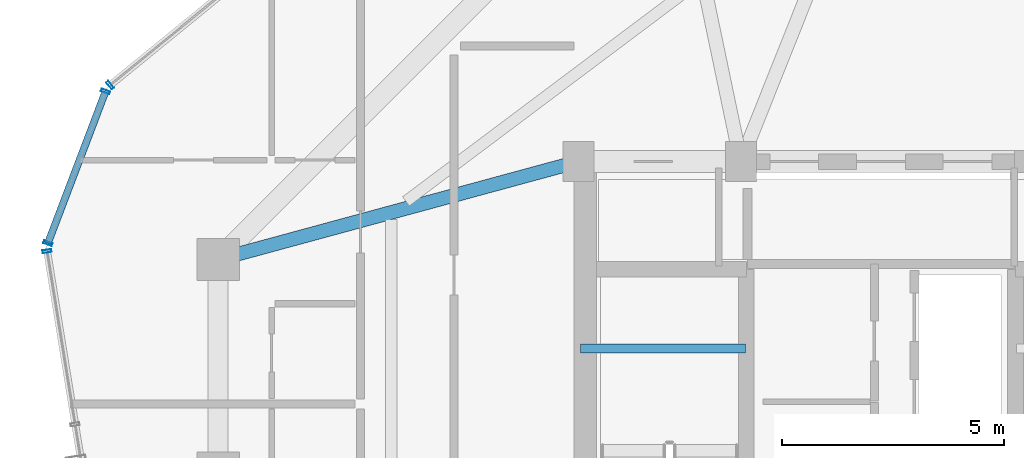
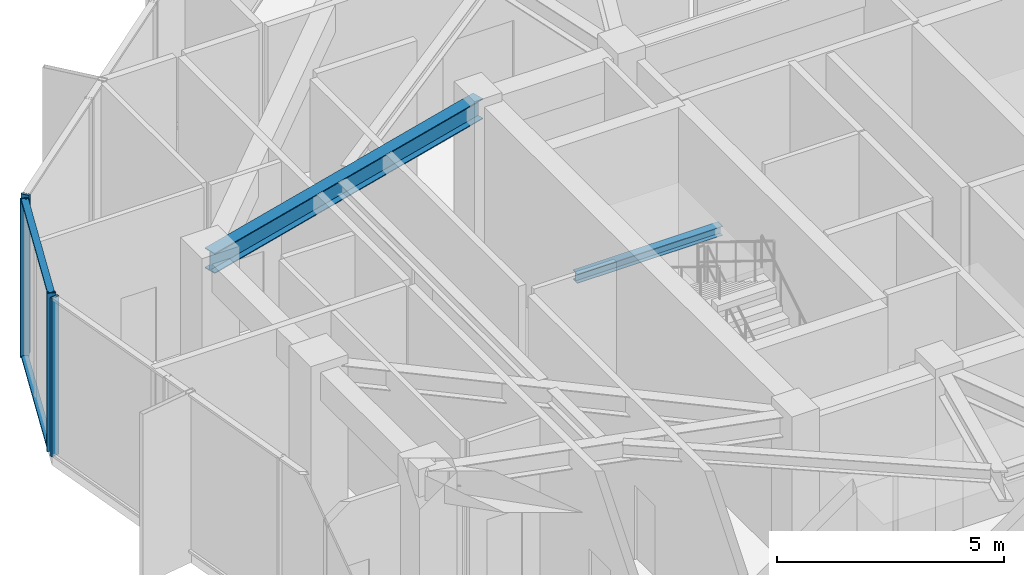
# One storey, part 9 of 22: 6 members, 2 beams, 3 elements without a shape of their own.
"""IFC4 building model written with IfcOpenShell, lengths in metres."""

import ifcopenshell
import ifcopenshell.guid

model = None  # the IFC model being written
_history = None  # IfcOwnerHistory: only IFC2X3 demands one
_inside = {}  # id of a spatial element -> (the spatial element, [elements in it])
_under = {}  # id of a project, library or spatial element -> (it, [spatial elements below it])
_declared = {}  # id of a project -> (the project, [libraries it declares])
_typed = {}  # id of a type object -> (the type object, [elements of that type])
_made_of = {}  # id of a material, layer set ... -> (it, [elements and type objects made of it])


def new_model(schema):
    """Start an empty IFC model of exactly this schema.

    Asked for "IFC4X3", IfcOpenShell would pick the latest addendum, in which some entities
    have other attributes; the version numbers below select the first issue.
    IFC2X3 requires an IfcOwnerHistory on every rooted entity: one is made here for all.
    """
    global model, _history
    if schema == "IFC4X3":
        model = ifcopenshell.file(schema_version=(4, 3, 0, 0))
    else:
        model = ifcopenshell.file(schema=schema)
    _inside.clear()
    _under.clear()
    _declared.clear()
    _typed.clear()
    _made_of.clear()
    _history = None
    if model.schema == "IFC2X3":
        org = make("IfcOrganization", Name="unknown")
        user = make(
            "IfcPersonAndOrganization",
            ThePerson=make("IfcPerson", FamilyName="unknown"),
            TheOrganization=org,
        )
        app = make(
            "IfcApplication",
            ApplicationDeveloper=org,
            Version="unknown",
            ApplicationFullName="unknown",
            ApplicationIdentifier="unknown",
        )
        _history = make(
            "IfcOwnerHistory",
            OwningUser=user,
            OwningApplication=app,
            ChangeAction="ADDED",
            CreationDate=0,
        )
    return model


def make(cls, **values):
    """One entity of the class cls with the attributes given. An attribute that is None is left unset."""
    return model.create_entity(
        cls, **{name: value for name, value in values.items() if value is not None}
    )


def rooted(cls, **values):
    """An entity with a GlobalId (a new one), such as an element, a storey or a relation."""
    return make(cls, GlobalId=ifcopenshell.guid.new(), OwnerHistory=_history, **values)


def si_unit(unit_type, name, prefix=None):
    """IfcSIUnit, for example si_unit("LENGTHUNIT", "METRE", prefix="MILLI")."""
    return make("IfcSIUnit", UnitType=unit_type, Prefix=prefix, Name=name)


def assignment(units):
    """IfcUnitAssignment: the units of a project."""
    return None if units is None else make("IfcUnitAssignment", Units=units)


def point(xyz):
    """IfcCartesianPoint."""
    return None if xyz is None else make("IfcCartesianPoint", Coordinates=xyz)


def direction(xyz):
    """IfcDirection."""
    return None if xyz is None else make("IfcDirection", DirectionRatios=xyz)


def frame(location, z_axis=None, x_axis=None):
    """IfcAxis2Placement3D, a coordinate frame: its origin and axes. An axis left out is left unset."""
    return make(
        "IfcAxis2Placement3D",
        Location=point(location),
        Axis=direction(z_axis),
        RefDirection=direction(x_axis),
    )


def frame_2d(location, x_axis=None):
    """IfcAxis2Placement2D, a coordinate frame in the plane: its origin and x axis."""
    return make(
        "IfcAxis2Placement2D", Location=point(location), RefDirection=direction(x_axis)
    )


def origin():
    """The frame at (0, 0, 0) with its axes left unset."""
    return frame((0.0, 0.0, 0.0))


def origin_2d():
    """The frame at (0, 0) in the plane with its x axis left unset."""
    return frame_2d((0.0, 0.0))


def place(relative_to, where):
    """IfcLocalPlacement: puts the frame where relative to a parent placement (None: the world)."""
    return make(
        "IfcLocalPlacement", PlacementRelTo=relative_to, RelativePlacement=where
    )


def context(
    kind, dimensions, precision=None, world=None, true_north=None, identifier=None
):
    """IfcGeometricRepresentationContext, for example the 3D "Model" context."""
    return make(
        "IfcGeometricRepresentationContext",
        ContextIdentifier=identifier,
        ContextType=kind,
        CoordinateSpaceDimension=dimensions,
        Precision=precision,
        WorldCoordinateSystem=world,
        TrueNorth=true_north,
    )


def subcontext(parent, identifier, kind, view, scale=None):
    """IfcGeometricRepresentationSubContext, for example "Body" below "Model"."""
    return make(
        "IfcGeometricRepresentationSubContext",
        ContextIdentifier=identifier,
        ContextType=kind,
        ParentContext=parent,
        TargetScale=scale,
        TargetView=view,
    )


def project(units=None, contexts=None):
    """IfcProject with its units and contexts."""
    return rooted(
        "IfcProject",
        Name="project",
        RepresentationContexts=contexts,
        UnitsInContext=assignment(units),
    )


def spatial(cls, under=None, at=None, **own):
    """A site, building, storey or space (cls), placed at a placement, below another one or the project."""
    s = rooted(cls, ObjectPlacement=at, **own)
    if under is not None:
        _under.setdefault(under.id(), (under, []))[1].append(s)
    return s


def profile(cls, at=None, kind="AREA", **sizes):
    """A parametric profile (cls). Its sizes go by their IFC names, for example OverallWidth=200.0."""
    return make(cls, ProfileType=kind, Position=at, **sizes)


def hollow_rectangle(**sizes):
    """IfcRectangleHollowProfileDef."""
    return profile("IfcRectangleHollowProfileDef", **sizes)


def i_section(**sizes):
    """IfcIShapeProfileDef."""
    return profile("IfcIShapeProfileDef", **sizes)


def extrude(swept, where, along, depth):
    """IfcExtrudedAreaSolid: the profile swept, set in the frame where, extruded along a direction by depth."""
    return make(
        "IfcExtrudedAreaSolid",
        SweptArea=swept,
        Position=where,
        ExtrudedDirection=direction(along),
        Depth=depth,
    )


def shape(context_of_items, identifier, shape_type, items):
    """IfcShapeRepresentation: the items that make up one representation, for example the "Body"."""
    return make(
        "IfcShapeRepresentation",
        ContextOfItems=context_of_items,
        RepresentationIdentifier=identifier,
        RepresentationType=shape_type,
        Items=items,
    )


def source(mapping_origin, context_of_items, identifier, shape_type, items):
    """IfcRepresentationMap: a shape defined once, which mapped items show again and again."""
    return make(
        "IfcRepresentationMap",
        MappingOrigin=mapping_origin,
        MappedRepresentation=shape(context_of_items, identifier, shape_type, items),
    )


def transform(
    local_origin,
    x_axis=None,
    y_axis=None,
    z_axis=None,
    scale=None,
    scale2=None,
    scale3=None,
    uniform=True,
):
    """IfcCartesianTransformationOperator3D, or its non-uniform kind. x_axis, y_axis, z_axis: its Axis1, 2, 3."""
    if uniform:
        return make(
            "IfcCartesianTransformationOperator3D",
            Axis1=direction(x_axis),
            Axis2=direction(y_axis),
            LocalOrigin=point(local_origin),
            Scale=scale,
            Axis3=direction(z_axis),
        )
    return make(
        "IfcCartesianTransformationOperator3DnonUniform",
        Axis1=direction(x_axis),
        Axis2=direction(y_axis),
        LocalOrigin=point(local_origin),
        Scale=scale,
        Axis3=direction(z_axis),
        Scale2=scale2,
        Scale3=scale3,
    )


def mapped(mapping_source, mapping_target):
    """IfcMappedItem: shows the shape of a source again, moved by a transform."""
    return make(
        "IfcMappedItem", MappingSource=mapping_source, MappingTarget=mapping_target
    )


def material(Name=None, Category=None):
    """IfcMaterial."""
    return make("IfcMaterial", Name=Name, Category=Category)


def layer(
    of_material, thickness, ventilated=None, Name=None, Category=None, Priority=None
):
    """IfcMaterialLayer: one layer of a wall or slab, of a material (None: an air gap)."""
    return make(
        "IfcMaterialLayer",
        Material=of_material,
        LayerThickness=thickness,
        IsVentilated=ventilated,
        Name=Name,
        Category=Category,
        Priority=Priority,
    )


def layer_set(layers, Name=None):
    """IfcMaterialLayerSet."""
    return make("IfcMaterialLayerSet", MaterialLayers=layers, LayerSetName=Name)


def material_profile(
    of_material, cross_section, Name=None, Category=None, Priority=None
):
    """IfcMaterialProfile: a cross section and its material."""
    return make(
        "IfcMaterialProfile",
        Name=Name,
        Material=of_material,
        Profile=cross_section,
        Priority=Priority,
        Category=Category,
    )


def profile_set(profiles, Name=None, composite=None):
    """IfcMaterialProfileSet."""
    return make(
        "IfcMaterialProfileSet",
        Name=Name,
        MaterialProfiles=profiles,
        CompositeProfile=composite,
    )


def made_of(thing, what):
    """Note that an element or type object is made of a material, layer set ...; save() writes the relation."""
    if what is not None:
        _made_of.setdefault(what.id(), (what, []))[1].append(thing)
    return thing


def type_object(cls, material=None, **own):
    """A type object (cls), such as IfcWallType, which elements share."""
    return made_of(rooted(cls, **own), material)


def element(
    cls,
    number,
    at=None,
    inside=None,
    cuts=None,
    type_object=None,
    material=None,
    context=None,
    identifier="Body",
    shape_type=None,
    held_by="IfcProductDefinitionShape",
    body=None,
    shapes=None,
    **own,
):
    """One element of the class cls, such as IfcWall. Its Tag is "e" and its number.

    at: its placement. inside: the storey or other place that contains it. cuts: it is an
    opening in that element (IfcRelVoidsElement). A single representation is given by context,
    identifier, shape_type and body (its items); several are given by shapes. held_by: the class
    of the entity that holds the representations. save() writes the other relations.
    """
    e = rooted(cls, Tag="e%d" % number, ObjectPlacement=at, **own)
    if body is not None:
        shapes = [shape(context, identifier, shape_type, body)]
    if shapes is not None:
        e.Representation = make(held_by, Representations=shapes)
    if inside is not None:
        _inside.setdefault(inside.id(), (inside, []))[1].append(e)
    if cuts is not None:
        rooted(
            "IfcRelVoidsElement", RelatingBuildingElement=cuts, RelatedOpeningElement=e
        )
    if type_object is not None:
        _typed.setdefault(type_object.id(), (type_object, []))[1].append(e)
    return made_of(e, material)


def aggregate(whole, parts):
    """IfcRelAggregates: a whole, such as a stair, and the parts it consists of."""
    return rooted("IfcRelAggregates", RelatingObject=whole, RelatedObjects=parts)


def save(model, path):
    """Write the relations noted so far, then the file.

    IfcRelAggregates (storeys below a building ...), IfcRelContainedInSpatialStructure (elements
    in a storey), IfcRelDefinesByType, IfcRelAssociatesMaterial and IfcRelDeclares: one each for
    every whole, place, type object, material and project.
    """
    for whole, parts in _under.values():
        aggregate(whole, parts)
    for where, things in _inside.values():
        rooted(
            "IfcRelContainedInSpatialStructure",
            RelatedElements=things,
            RelatingStructure=where,
        )
    for kind, things in _typed.values():
        rooted("IfcRelDefinesByType", RelatedObjects=things, RelatingType=kind)
    for what, things in _made_of.values():
        rooted("IfcRelAssociatesMaterial", RelatedObjects=things, RelatingMaterial=what)
    for by, libraries in _declared.values():
        rooted("IfcRelDeclares", RelatingContext=by, RelatedDefinitions=libraries)
    model.write(path)


model = new_model("IFC4")

# Units and contexts
model_context = context("Model", 3, precision=1e-05, world=origin(), true_north=direction((0.0, 1.0)))
body_context = subcontext(model_context, "Body", "Model", "MODEL_VIEW")
ifc_project = project(units=[si_unit("LENGTHUNIT", "METRE"), si_unit("AREAUNIT", "SQUARE_METRE"), si_unit("VOLUMEUNIT", "CUBIC_METRE"), si_unit("PLANEANGLEUNIT", "RADIAN"), si_unit("MASSUNIT", "GRAM", prefix="KILO")], contexts=[model_context])

# Site, building, storey
site_placement = place(None, origin())
site = spatial("IfcSite", under=ifc_project, at=site_placement, CompositionType="ELEMENT")
building_placement = place(site_placement, origin())
building = spatial("IfcBuilding", under=site, at=building_placement, Name="Veraguas Prism Commons", CompositionType="ELEMENT")
storey_placement = place(building_placement, frame((0.0, 0.0, 174.35009765625)))
storey = spatial("IfcBuildingStorey", under=building, at=storey_placement, Name="L49", CompositionType="ELEMENT", Elevation=174.35009765625)

# Beams
ifc_material_1 = material(Name="Steel ASTM A992 Grade 50", Category="steel")
ifc_material_profile_1 = material_profile(ifc_material_1, i_section(OverallWidth=0.202880859375, OverallDepth=0.251953125, WebThickness=0.008056640625, FlangeThickness=0.013427734375, at=origin_2d()), Name="W250X58")
ifc_profile_set_1 = profile_set([ifc_material_profile_1], Name="Steel ASTM A992 Grade 50")
beam_type_1 = type_object("IfcBeamType", Name="Structural Opening Lintel W250x58", PredefinedType="LINTEL", material=ifc_profile_set_1)
beam_1_placement = place(storey_placement, frame((17.25, 26.800048828125, 1.923828125), z_axis=(1.0, 0.0, 0.0), x_axis=(0.0, 1.0, 0.0)))
element("IfcBeam", 1, at=beam_1_placement, inside=storey, type_object=beam_type_1, Name="Stair ST-01 Half-Landing Support Beam L49-1", PredefinedType="LINTEL", context=body_context, shape_type="SweptSolid", body=[
    extrude(i_section(OverallWidth=0.202880859375, OverallDepth=0.251953125, WebThickness=0.008056640625, FlangeThickness=0.013427734375, at=origin_2d()), origin(), (0.0, 0.0, 1.0), 3.699951171875),
])
ifc_material_profile_2 = material_profile(ifc_material_1, i_section(OverallWidth=0.31103515625, OverallDepth=0.5458984375, WebThickness=0.0146484375, FlangeThickness=0.023681640625, at=origin_2d()), Name="W530X165")
ifc_profile_set_2 = profile_set([ifc_material_profile_2], Name="Steel ASTM A992 Grade 50")
beam_type_2 = type_object("IfcBeamType", Name="Zone 3 Radial Girder W530x165", PredefinedType="BEAM", material=ifc_profile_set_2)
beam_2_placement = place(storey_placement, frame((9.10009765625, 28.800048828125, 3.991943359375), z_axis=(0.965038506703, 0.262108146725, 0.0), x_axis=(-0.262108146725, 0.965038506703, 0.0)))
element("IfcBeam", 2, at=beam_2_placement, inside=storey, type_object=beam_type_2, Name="Radial Floor Girder L49-RD07", PredefinedType="BEAM", context=body_context, shape_type="SweptSolid", body=[
    extrude(i_section(OverallWidth=0.31103515625, OverallDepth=0.5458984375, WebThickness=0.0146484375, FlangeThickness=0.023681640625, at=origin_2d()), origin(), (0.0, 0.0, 1.0), 8.393310546875),
])

# Curtain wall, member
ifc_material_2 = material(Name="Anodised aluminium EN AW-6063 T6", Category="aluminium")
ifc_layer = layer(ifc_material_2, 0.199951171875, Name="Sky Lobby and Pool Acoustic Curtain Wall", Category="aluminium")
ifc_layer_set = layer_set([ifc_layer], Name="Anodised aluminium EN AW-6063 T6")
curtain_wall_type = type_object("IfcCurtainWallType", Name="Sky Lobby and Pool Acoustic Curtain Wall", PredefinedType="NOTDEFINED", material=ifc_layer_set)
curtain_wall_1_placement = place(storey_placement, origin())
curtain_wall_1 = element("IfcCurtainWall", 3, at=curtain_wall_1_placement, inside=storey, type_object=curtain_wall_type, Name="Tower Facade Curtain Wall L49-F2", PredefinedType="NOTDEFINED")
ifc_material_profile_3 = material_profile(ifc_material_2, hollow_rectangle(XDim=0.06494140625, YDim=0.199951171875, WallThickness=0.00390625, at=origin_2d()), Name="AL65X200X4")
ifc_profile_set_3 = profile_set([ifc_material_profile_3], Name="Anodised aluminium EN AW-6063 T6")
member_type_1 = type_object("IfcMemberType", Name="Curtain Wall Mullion Heavy AL 65x200x4", PredefinedType="MULLION", material=ifc_profile_set_3)
shared_shape_1 = source(origin(), body_context, "Body", "SweptSolid", [
    extrude(hollow_rectangle(XDim=0.06494140625, YDim=0.199951171875, WallThickness=0.00390625, at=origin_2d()), origin(), (0.0, 0.0, 1.0), 4.264892578125),
])
member_1_placement = place(storey_placement, frame((6.670166015625, 32.719482421875, 0.0), z_axis=(0.0, 0.0, 1.0), x_axis=(-0.774941179396, -0.632033360256, 0.0)))
member_1 = element("IfcMember", 4, at=member_1_placement, type_object=member_type_1, Name="CW-SKY Mullion 5", PredefinedType="MULLION", context=body_context, shape_type="MappedRepresentation", body=[
    mapped(shared_shape_1, transform((0.0, 0.0, 0.0), scale=1.0)),
])
aggregate(curtain_wall_1, [member_1])

curtain_wall_2_placement = place(storey_placement, origin())
curtain_wall_2 = element("IfcCurtainWall", 5, at=curtain_wall_2_placement, inside=storey, type_object=curtain_wall_type, Name="Tower Facade Curtain Wall L49-F3", PredefinedType="NOTDEFINED")
member_2_placement = place(storey_placement, frame((5.251708984375, 28.9853515625, 0.0), z_axis=(0.0, 0.0, 1.0), x_axis=(0.159874296177, -0.98713738123, 0.0)))
member_2 = element("IfcMember", 6, at=member_2_placement, type_object=member_type_1, Name="CW-SKY Mullion 1", PredefinedType="MULLION", context=body_context, shape_type="MappedRepresentation", body=[
    mapped(shared_shape_1, transform((0.0, 0.0, 0.0), scale=1.0)),
])
aggregate(curtain_wall_2, [member_2])

# Curtain wall, members
curtain_wall_3_placement = place(storey_placement, origin())
curtain_wall_3 = element("IfcCurtainWall", 7, at=curtain_wall_3_placement, inside=storey, type_object=curtain_wall_type, Name="Chamfer Curtain Wall L49-C3", PredefinedType="NOTDEFINED")
member_3_placement = place(storey_placement, frame((6.565673828125, 32.57470703125, 0.0), z_axis=(0.0, 0.0, 1.0), x_axis=(-0.355106962408, -0.934825676396, 0.0)))
member_3 = element("IfcMember", 8, at=member_3_placement, type_object=member_type_1, Name="CW-SKY Mullion 1", PredefinedType="MULLION", context=body_context, shape_type="MappedRepresentation", body=[
    mapped(shared_shape_1, transform((0.0, 0.0, 0.0), scale=1.0)),
])
member_4_placement = place(storey_placement, frame((5.26953125, 29.1630859375, 0.0), z_axis=(0.0, 0.0, 1.0), x_axis=(-0.355106962408, -0.934825676396, 0.0)))
member_4 = element("IfcMember", 9, at=member_4_placement, type_object=member_type_1, Name="CW-SKY Mullion 2", PredefinedType="MULLION", context=body_context, shape_type="MappedRepresentation", body=[
    mapped(shared_shape_1, transform((0.0, 0.0, 0.0), scale=1.0)),
])
ifc_material_profile_4 = material_profile(ifc_material_2, hollow_rectangle(XDim=0.06005859375, YDim=0.159912109375, WallThickness=0.0029296875, at=origin_2d()), Name="AL60X160X3")
ifc_profile_set_4 = profile_set([ifc_material_profile_4], Name="Anodised aluminium EN AW-6063 T6")
member_type_2 = type_object("IfcMemberType", Name="Curtain Wall Transom Heavy AL 60x160x3", PredefinedType="USERDEFINED", material=ifc_profile_set_4)
shared_shape_2 = source(origin(), body_context, "Body", "SweptSolid", [
    extrude(hollow_rectangle(XDim=0.06005859375, YDim=0.159912109375, WallThickness=0.0029296875, at=origin_2d()), origin(), (0.0, 0.0, 1.0), 3.649658203125),
])
member_5_placement = place(storey_placement, frame((6.565673828125, 32.57470703125, 0.02978515625), z_axis=(-0.355152289794, -0.93480845688, 0.0), x_axis=(0.0, 0.0, 1.0)))
member_5 = element("IfcMember", 10, at=member_5_placement, type_object=member_type_2, Name="CW-SKY Transom 1", ObjectType="TRANSOM", PredefinedType="USERDEFINED", context=body_context, shape_type="MappedRepresentation", body=[
    mapped(shared_shape_2, transform((0.0, 0.0, 0.0), scale=1.0)),
])
member_6_placement = place(storey_placement, frame((6.565673828125, 32.57470703125, 4.23486328125), z_axis=(-0.355152289794, -0.93480845688, 0.0), x_axis=(0.0, 0.0, 1.0)))
member_6 = element("IfcMember", 11, at=member_6_placement, type_object=member_type_2, Name="CW-SKY Transom 2", ObjectType="TRANSOM", PredefinedType="USERDEFINED", context=body_context, shape_type="MappedRepresentation", body=[
    mapped(shared_shape_2, transform((0.0, 0.0, 0.0), scale=1.0)),
])
aggregate(curtain_wall_3, [member_3, member_4, member_5, member_6])

save(model, "model.ifc")
